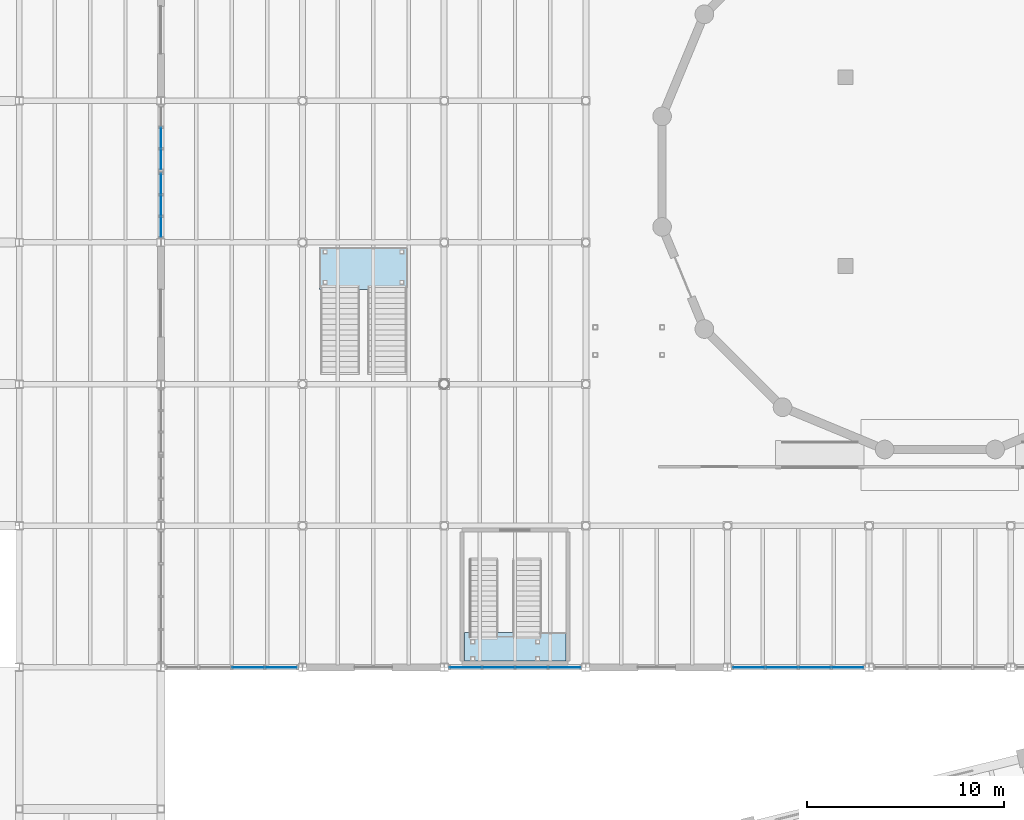
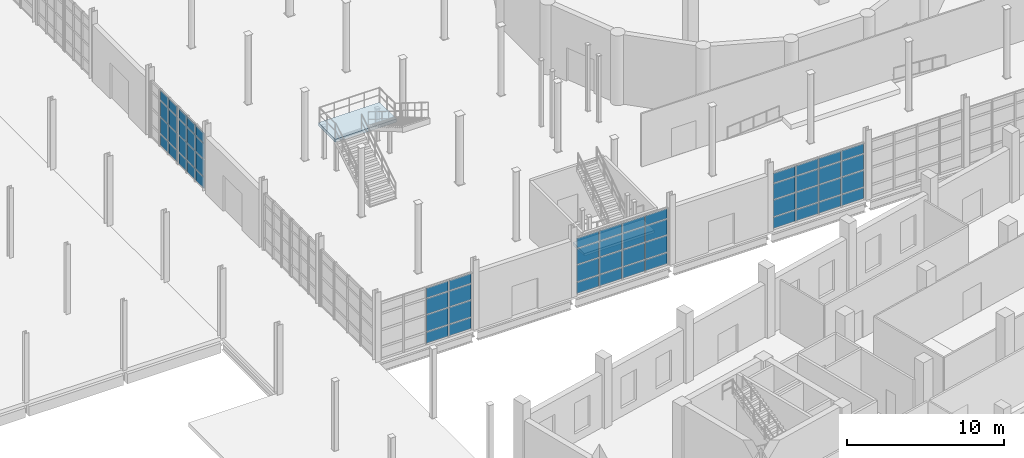
# One storey, part 50 of 79: 60 plates, 2 slabs, 7 elements without a shape of their own.
"""IFC4 building model written with IfcOpenShell, lengths in metres."""

from ifc_helpers import new_model, si_unit, direction, frame, frame_2d, origin, place, context, subcontext, project, spatial, polyline, rectangle, outline, extrude, material, layer, layer_set, type_object, element, aggregate, save


model = new_model("IFC4")

# Units and contexts
model_context = context("Model", 3, precision=1e-05, world=origin(), true_north=direction((0.0, 1.0)))
body_context = subcontext(model_context, "Body", "Model", "MODEL_VIEW")
ifc_project = project(units=[si_unit("LENGTHUNIT", "METRE"), si_unit("AREAUNIT", "SQUARE_METRE"), si_unit("VOLUMEUNIT", "CUBIC_METRE"), si_unit("PLANEANGLEUNIT", "RADIAN"), si_unit("MASSUNIT", "GRAM", prefix="KILO")], contexts=[model_context])

# Site, building, storey
site_placement = place(None, origin())
site = spatial("IfcSite", under=ifc_project, at=site_placement, CompositionType="ELEMENT")
building_placement = place(site_placement, origin())
building = spatial("IfcBuilding", under=site, at=building_placement, Name="Qiaolan Assembly House", CompositionType="ELEMENT")
storey_placement = place(building_placement, origin())
storey = spatial("IfcBuildingStorey", under=building, at=storey_placement, Name="L00", CompositionType="ELEMENT", Elevation=0.0)

# Curtain wall, plates
ifc_material_1 = material(Name="Anodised bronze aluminium", Category="aluminium")
curtain_wall_type = type_object("IfcCurtainWallType", Name="CW-HALL-MAIN-540", PredefinedType="NOTDEFINED", material=ifc_material_1)
curtain_wall_1_placement = place(storey_placement, origin())
curtain_wall_1 = element("IfcCurtainWall", 1, at=curtain_wall_1_placement, inside=storey, type_object=curtain_wall_type, Name="CW-01 Hall West facade L00-3A", PredefinedType="NOTDEFINED")
ifc_material_2 = material(Name="Low-E double insulating glass", Category="glass")
ifc_layer_1 = layer(ifc_material_2, 0.035888671875)
ifc_layer_set_1 = layer_set([ifc_layer_1], Name="Low-E double insulating glass")
plate_type = type_object("IfcPlateType", Name="CW-HALL-MAIN-540-PNL", PredefinedType="CURTAIN_PANEL", material=ifc_layer_set_1)
plate_1_placement = place(storey_placement, frame((28.800048828125, 57.887939453125, 0.06298828125), z_axis=(0.0, 0.0, 1.0), x_axis=(0.0, 1.0, 0.0)))
plate_1 = element("IfcPlate", 2, at=plate_1_placement, type_object=plate_type, Name="GL-01 glazing panel CW-HALL-W-L00-3A-1", PredefinedType="CURTAIN_PANEL", context=body_context, shape_type="SweptSolid", body=[
    extrude(rectangle(XDim=1.01416015625, YDim=0.035888671875, at=frame_2d((0.507080078125, 0.0))), origin(), (0.0, 0.0, 1.0), 0.85400390625),
])
plate_2_placement = place(storey_placement, frame((28.800048828125, 57.887939453125, 0.98291015625), z_axis=(0.0, 0.0, 1.0), x_axis=(0.0, 1.0, 0.0)))
plate_2 = element("IfcPlate", 3, at=plate_2_placement, type_object=plate_type, Name="GL-01 glazing panel CW-HALL-W-L00-3A-2", PredefinedType="CURTAIN_PANEL", context=body_context, shape_type="SweptSolid", body=[
    extrude(rectangle(XDim=1.01416015625, YDim=0.035888671875, at=frame_2d((0.507080078125, 0.0))), origin(), (0.0, 0.0, 1.0), 1.27197265625),
])
plate_3_placement = place(storey_placement, frame((28.800048828125, 57.887939453125, 2.321044921875), z_axis=(0.0, 0.0, 1.0), x_axis=(0.0, 1.0, 0.0)))
plate_3 = element("IfcPlate", 4, at=plate_3_placement, type_object=plate_type, Name="GL-01 glazing panel CW-HALL-W-L00-3A-3", PredefinedType="CURTAIN_PANEL", context=body_context, shape_type="SweptSolid", body=[
    extrude(rectangle(XDim=1.01416015625, YDim=0.035888671875, at=frame_2d((0.507080078125, 0.0))), origin(), (0.0, 0.0, 1.0), 1.196044921875),
])
plate_4_placement = place(storey_placement, frame((28.800048828125, 57.887939453125, 3.5830078125), z_axis=(0.0, 0.0, 1.0), x_axis=(0.0, 1.0, 0.0)))
plate_4 = element("IfcPlate", 5, at=plate_4_placement, type_object=plate_type, Name="GL-01 glazing panel CW-HALL-W-L00-3A-4", PredefinedType="CURTAIN_PANEL", context=body_context, shape_type="SweptSolid", body=[
    extrude(rectangle(XDim=1.01416015625, YDim=0.035888671875, at=frame_2d((0.507080078125, 0.0))), origin(), (0.0, 0.0, 1.0), 0.75390625),
])
plate_5_placement = place(storey_placement, frame((28.800048828125, 58.97802734375, 0.06298828125), z_axis=(0.0, 0.0, 1.0), x_axis=(0.0, 1.0, 0.0)))
plate_5 = element("IfcPlate", 6, at=plate_5_placement, type_object=plate_type, Name="GL-01 glazing panel CW-HALL-W-L00-3A-5", PredefinedType="CURTAIN_PANEL", context=body_context, shape_type="SweptSolid", body=[
    extrude(rectangle(XDim=1.013916015625, YDim=0.035888671875, at=frame_2d((0.5068359375, 0.0))), origin(), (0.0, 0.0, 1.0), 0.85400390625),
])
plate_6_placement = place(storey_placement, frame((28.800048828125, 58.97802734375, 0.98291015625), z_axis=(0.0, 0.0, 1.0), x_axis=(0.0, 1.0, 0.0)))
plate_6 = element("IfcPlate", 7, at=plate_6_placement, type_object=plate_type, Name="GL-01 glazing panel CW-HALL-W-L00-3A-6", PredefinedType="CURTAIN_PANEL", context=body_context, shape_type="SweptSolid", body=[
    extrude(rectangle(XDim=1.013916015625, YDim=0.035888671875, at=frame_2d((0.5068359375, 0.0))), origin(), (0.0, 0.0, 1.0), 1.27197265625),
])
plate_7_placement = place(storey_placement, frame((28.800048828125, 58.97802734375, 2.321044921875), z_axis=(0.0, 0.0, 1.0), x_axis=(0.0, 1.0, 0.0)))
plate_7 = element("IfcPlate", 8, at=plate_7_placement, type_object=plate_type, Name="GL-01 glazing panel CW-HALL-W-L00-3A-7", PredefinedType="CURTAIN_PANEL", context=body_context, shape_type="SweptSolid", body=[
    extrude(rectangle(XDim=1.013916015625, YDim=0.035888671875, at=frame_2d((0.5068359375, 0.0))), origin(), (0.0, 0.0, 1.0), 1.196044921875),
])
plate_8_placement = place(storey_placement, frame((28.800048828125, 58.97802734375, 3.5830078125), z_axis=(0.0, 0.0, 1.0), x_axis=(0.0, 1.0, 0.0)))
plate_8 = element("IfcPlate", 9, at=plate_8_placement, type_object=plate_type, Name="GL-01 glazing panel CW-HALL-W-L00-3A-8", PredefinedType="CURTAIN_PANEL", context=body_context, shape_type="SweptSolid", body=[
    extrude(rectangle(XDim=1.013916015625, YDim=0.035888671875, at=frame_2d((0.5068359375, 0.0))), origin(), (0.0, 0.0, 1.0), 0.75390625),
])
plate_9_placement = place(storey_placement, frame((28.800048828125, 60.068115234375, 0.06298828125), z_axis=(0.0, 0.0, 1.0), x_axis=(0.0, 1.0, 0.0)))
plate_9 = element("IfcPlate", 10, at=plate_9_placement, type_object=plate_type, Name="GL-01 glazing panel CW-HALL-W-L00-3A-9", PredefinedType="CURTAIN_PANEL", context=body_context, shape_type="SweptSolid", body=[
    extrude(rectangle(XDim=1.013916015625, YDim=0.035888671875, at=frame_2d((0.5068359375, 0.0))), origin(), (0.0, 0.0, 1.0), 0.85400390625),
])
plate_10_placement = place(storey_placement, frame((28.800048828125, 60.068115234375, 0.98291015625), z_axis=(0.0, 0.0, 1.0), x_axis=(0.0, 1.0, 0.0)))
plate_10 = element("IfcPlate", 11, at=plate_10_placement, type_object=plate_type, Name="GL-01 glazing panel CW-HALL-W-L00-3A-10", PredefinedType="CURTAIN_PANEL", context=body_context, shape_type="SweptSolid", body=[
    extrude(rectangle(XDim=1.013916015625, YDim=0.035888671875, at=frame_2d((0.5068359375, 0.0))), origin(), (0.0, 0.0, 1.0), 1.27197265625),
])
plate_11_placement = place(storey_placement, frame((28.800048828125, 60.068115234375, 2.321044921875), z_axis=(0.0, 0.0, 1.0), x_axis=(0.0, 1.0, 0.0)))
plate_11 = element("IfcPlate", 12, at=plate_11_placement, type_object=plate_type, Name="GL-01 glazing panel CW-HALL-W-L00-3A-11", PredefinedType="CURTAIN_PANEL", context=body_context, shape_type="SweptSolid", body=[
    extrude(rectangle(XDim=1.013916015625, YDim=0.035888671875, at=frame_2d((0.5068359375, 0.0))), origin(), (0.0, 0.0, 1.0), 1.196044921875),
])
plate_12_placement = place(storey_placement, frame((28.800048828125, 60.068115234375, 3.5830078125), z_axis=(0.0, 0.0, 1.0), x_axis=(0.0, 1.0, 0.0)))
plate_12 = element("IfcPlate", 13, at=plate_12_placement, type_object=plate_type, Name="GL-01 glazing panel CW-HALL-W-L00-3A-12", PredefinedType="CURTAIN_PANEL", context=body_context, shape_type="SweptSolid", body=[
    extrude(rectangle(XDim=1.013916015625, YDim=0.035888671875, at=frame_2d((0.5068359375, 0.0))), origin(), (0.0, 0.0, 1.0), 0.75390625),
])
aggregate(curtain_wall_1, [plate_1, plate_2, plate_3, plate_4, plate_5, plate_6, plate_7, plate_8, plate_9, plate_10, plate_11, plate_12])

curtain_wall_2_placement = place(storey_placement, origin())
curtain_wall_2 = element("IfcCurtainWall", 14, at=curtain_wall_2_placement, inside=storey, type_object=curtain_wall_type, Name="CW-01 Hall West facade L00-3B", PredefinedType="NOTDEFINED")
plate_13_placement = place(storey_placement, frame((28.800048828125, 61.318115234375, 0.06298828125), z_axis=(0.0, 0.0, 1.0), x_axis=(0.0, 1.0, 0.0)))
plate_13 = element("IfcPlate", 15, at=plate_13_placement, type_object=plate_type, Name="GL-01 glazing panel CW-HALL-W-L00-3B-1", PredefinedType="CURTAIN_PANEL", context=body_context, shape_type="SweptSolid", body=[
    extrude(rectangle(XDim=1.013916015625, YDim=0.035888671875, at=frame_2d((0.5068359375, 0.0))), origin(), (0.0, 0.0, 1.0), 0.85400390625),
])
plate_14_placement = place(storey_placement, frame((28.800048828125, 61.318115234375, 0.98291015625), z_axis=(0.0, 0.0, 1.0), x_axis=(0.0, 1.0, 0.0)))
plate_14 = element("IfcPlate", 16, at=plate_14_placement, type_object=plate_type, Name="GL-01 glazing panel CW-HALL-W-L00-3B-2", PredefinedType="CURTAIN_PANEL", context=body_context, shape_type="SweptSolid", body=[
    extrude(rectangle(XDim=1.013916015625, YDim=0.035888671875, at=frame_2d((0.5068359375, 0.0))), origin(), (0.0, 0.0, 1.0), 1.27197265625),
])
plate_15_placement = place(storey_placement, frame((28.800048828125, 61.318115234375, 2.321044921875), z_axis=(0.0, 0.0, 1.0), x_axis=(0.0, 1.0, 0.0)))
plate_15 = element("IfcPlate", 17, at=plate_15_placement, type_object=plate_type, Name="GL-01 glazing panel CW-HALL-W-L00-3B-3", PredefinedType="CURTAIN_PANEL", context=body_context, shape_type="SweptSolid", body=[
    extrude(rectangle(XDim=1.013916015625, YDim=0.035888671875, at=frame_2d((0.5068359375, 0.0))), origin(), (0.0, 0.0, 1.0), 1.196044921875),
])
plate_16_placement = place(storey_placement, frame((28.800048828125, 61.318115234375, 3.5830078125), z_axis=(0.0, 0.0, 1.0), x_axis=(0.0, 1.0, 0.0)))
plate_16 = element("IfcPlate", 18, at=plate_16_placement, type_object=plate_type, Name="GL-01 glazing panel CW-HALL-W-L00-3B-4", PredefinedType="CURTAIN_PANEL", context=body_context, shape_type="SweptSolid", body=[
    extrude(rectangle(XDim=1.013916015625, YDim=0.035888671875, at=frame_2d((0.5068359375, 0.0))), origin(), (0.0, 0.0, 1.0), 0.75390625),
])
plate_17_placement = place(storey_placement, frame((28.800048828125, 62.407958984375, 0.06298828125), z_axis=(0.0, 0.0, 1.0), x_axis=(0.0, 1.0, 0.0)))
plate_17 = element("IfcPlate", 19, at=plate_17_placement, type_object=plate_type, Name="GL-01 glazing panel CW-HALL-W-L00-3B-5", PredefinedType="CURTAIN_PANEL", context=body_context, shape_type="SweptSolid", body=[
    extrude(rectangle(XDim=1.01416015625, YDim=0.035888671875, at=frame_2d((0.507080078125, 0.0))), origin(), (0.0, 0.0, 1.0), 0.85400390625),
])
plate_18_placement = place(storey_placement, frame((28.800048828125, 62.407958984375, 0.98291015625), z_axis=(0.0, 0.0, 1.0), x_axis=(0.0, 1.0, 0.0)))
plate_18 = element("IfcPlate", 20, at=plate_18_placement, type_object=plate_type, Name="GL-01 glazing panel CW-HALL-W-L00-3B-6", PredefinedType="CURTAIN_PANEL", context=body_context, shape_type="SweptSolid", body=[
    extrude(rectangle(XDim=1.01416015625, YDim=0.035888671875, at=frame_2d((0.507080078125, 0.0))), origin(), (0.0, 0.0, 1.0), 1.27197265625),
])
plate_19_placement = place(storey_placement, frame((28.800048828125, 62.407958984375, 2.321044921875), z_axis=(0.0, 0.0, 1.0), x_axis=(0.0, 1.0, 0.0)))
plate_19 = element("IfcPlate", 21, at=plate_19_placement, type_object=plate_type, Name="GL-01 glazing panel CW-HALL-W-L00-3B-7", PredefinedType="CURTAIN_PANEL", context=body_context, shape_type="SweptSolid", body=[
    extrude(rectangle(XDim=1.01416015625, YDim=0.035888671875, at=frame_2d((0.507080078125, 0.0))), origin(), (0.0, 0.0, 1.0), 1.196044921875),
])
plate_20_placement = place(storey_placement, frame((28.800048828125, 62.407958984375, 3.5830078125), z_axis=(0.0, 0.0, 1.0), x_axis=(0.0, 1.0, 0.0)))
plate_20 = element("IfcPlate", 22, at=plate_20_placement, type_object=plate_type, Name="GL-01 glazing panel CW-HALL-W-L00-3B-8", PredefinedType="CURTAIN_PANEL", context=body_context, shape_type="SweptSolid", body=[
    extrude(rectangle(XDim=1.01416015625, YDim=0.035888671875, at=frame_2d((0.507080078125, 0.0))), origin(), (0.0, 0.0, 1.0), 0.75390625),
])
aggregate(curtain_wall_2, [plate_13, plate_14, plate_15, plate_16, plate_17, plate_18, plate_19, plate_20])

curtain_wall_3_placement = place(storey_placement, origin())
curtain_wall_3 = element("IfcCurtainWall", 23, at=curtain_wall_3_placement, inside=storey, type_object=curtain_wall_type, Name="CW-01 Hall South plaza curtain wall L00-1", PredefinedType="NOTDEFINED")
plate_21_placement = place(storey_placement, frame((32.43798828125, 36.0, 0.06298828125), z_axis=(0.0, 0.0, 1.0), x_axis=(1.0, 0.0, 0.0)))
plate_21 = element("IfcPlate", 24, at=plate_21_placement, type_object=plate_type, Name="GL-01 glazing panel CW-HALL-S-L00-00-9", PredefinedType="CURTAIN_PANEL", context=body_context, shape_type="SweptSolid", body=[
    extrude(rectangle(XDim=1.59912109375, YDim=0.035888671875, at=frame_2d((0.799560546875, 0.0))), origin(), (0.0, 0.0, 1.0), 0.85400390625),
])
plate_22_placement = place(storey_placement, frame((32.43798828125, 36.0, 0.98291015625), z_axis=(0.0, 0.0, 1.0), x_axis=(1.0, 0.0, 0.0)))
plate_22 = element("IfcPlate", 25, at=plate_22_placement, type_object=plate_type, Name="GL-01 glazing panel CW-HALL-S-L00-00-10", PredefinedType="CURTAIN_PANEL", context=body_context, shape_type="SweptSolid", body=[
    extrude(rectangle(XDim=1.59912109375, YDim=0.035888671875, at=frame_2d((0.799560546875, 0.0))), origin(), (0.0, 0.0, 1.0), 1.27197265625),
])
plate_23_placement = place(storey_placement, frame((32.43798828125, 36.0, 2.321044921875), z_axis=(0.0, 0.0, 1.0), x_axis=(1.0, 0.0, 0.0)))
plate_23 = element("IfcPlate", 26, at=plate_23_placement, type_object=plate_type, Name="GL-01 glazing panel CW-HALL-S-L00-00-11", PredefinedType="CURTAIN_PANEL", context=body_context, shape_type="SweptSolid", body=[
    extrude(rectangle(XDim=1.59912109375, YDim=0.035888671875, at=frame_2d((0.799560546875, 0.0))), origin(), (0.0, 0.0, 1.0), 1.196044921875),
])
plate_24_placement = place(storey_placement, frame((32.43798828125, 36.0, 3.5830078125), z_axis=(0.0, 0.0, 1.0), x_axis=(1.0, 0.0, 0.0)))
plate_24 = element("IfcPlate", 27, at=plate_24_placement, type_object=plate_type, Name="GL-01 glazing panel CW-HALL-S-L00-00-12", PredefinedType="CURTAIN_PANEL", context=body_context, shape_type="SweptSolid", body=[
    extrude(rectangle(XDim=1.59912109375, YDim=0.035888671875, at=frame_2d((0.799560546875, 0.0))), origin(), (0.0, 0.0, 1.0), 0.75390625),
])
plate_25_placement = place(storey_placement, frame((34.113037109375, 36.0, 0.06298828125), z_axis=(0.0, 0.0, 1.0), x_axis=(1.0, 0.0, 0.0)))
plate_25 = element("IfcPlate", 28, at=plate_25_placement, type_object=plate_type, Name="GL-01 glazing panel CW-HALL-S-L00-00-13", PredefinedType="CURTAIN_PANEL", context=body_context, shape_type="SweptSolid", body=[
    extrude(rectangle(XDim=1.598876953125, YDim=0.035888671875, at=frame_2d((0.79931640625, 0.0))), origin(), (0.0, 0.0, 1.0), 0.85400390625),
])
plate_26_placement = place(storey_placement, frame((34.113037109375, 36.0, 0.98291015625), z_axis=(0.0, 0.0, 1.0), x_axis=(1.0, 0.0, 0.0)))
plate_26 = element("IfcPlate", 29, at=plate_26_placement, type_object=plate_type, Name="GL-01 glazing panel CW-HALL-S-L00-00-14", PredefinedType="CURTAIN_PANEL", context=body_context, shape_type="SweptSolid", body=[
    extrude(rectangle(XDim=1.598876953125, YDim=0.035888671875, at=frame_2d((0.79931640625, 0.0))), origin(), (0.0, 0.0, 1.0), 1.27197265625),
])
plate_27_placement = place(storey_placement, frame((34.113037109375, 36.0, 2.321044921875), z_axis=(0.0, 0.0, 1.0), x_axis=(1.0, 0.0, 0.0)))
plate_27 = element("IfcPlate", 30, at=plate_27_placement, type_object=plate_type, Name="GL-01 glazing panel CW-HALL-S-L00-00-15", PredefinedType="CURTAIN_PANEL", context=body_context, shape_type="SweptSolid", body=[
    extrude(rectangle(XDim=1.598876953125, YDim=0.035888671875, at=frame_2d((0.79931640625, 0.0))), origin(), (0.0, 0.0, 1.0), 1.196044921875),
])
plate_28_placement = place(storey_placement, frame((34.113037109375, 36.0, 3.5830078125), z_axis=(0.0, 0.0, 1.0), x_axis=(1.0, 0.0, 0.0)))
plate_28 = element("IfcPlate", 31, at=plate_28_placement, type_object=plate_type, Name="GL-01 glazing panel CW-HALL-S-L00-00-16", PredefinedType="CURTAIN_PANEL", context=body_context, shape_type="SweptSolid", body=[
    extrude(rectangle(XDim=1.598876953125, YDim=0.035888671875, at=frame_2d((0.79931640625, 0.0))), origin(), (0.0, 0.0, 1.0), 0.75390625),
])
aggregate(curtain_wall_3, [plate_21, plate_22, plate_23, plate_24, plate_25, plate_26, plate_27, plate_28])

curtain_wall_4_placement = place(storey_placement, origin())
curtain_wall_4 = element("IfcCurtainWall", 32, at=curtain_wall_4_placement, inside=storey, type_object=curtain_wall_type, Name="CW-01 Hall South plaza curtain wall L00-3", PredefinedType="NOTDEFINED")
plate_29_placement = place(storey_placement, frame((43.488037109375, 36.0, 0.06298828125), z_axis=(0.0, 0.0, 1.0), x_axis=(1.0, 0.0, 0.0)))
plate_29 = element("IfcPlate", 33, at=plate_29_placement, type_object=plate_type, Name="GL-01 glazing panel CW-HALL-S-L00-02-1", PredefinedType="CURTAIN_PANEL", context=body_context, shape_type="SweptSolid", body=[
    extrude(rectangle(XDim=1.598876953125, YDim=0.035888671875, at=frame_2d((0.79931640625, 0.0))), origin(), (0.0, 0.0, 1.0), 0.85400390625),
])
plate_30_placement = place(storey_placement, frame((43.488037109375, 36.0, 0.98291015625), z_axis=(0.0, 0.0, 1.0), x_axis=(1.0, 0.0, 0.0)))
plate_30 = element("IfcPlate", 34, at=plate_30_placement, type_object=plate_type, Name="GL-01 glazing panel CW-HALL-S-L00-02-2", PredefinedType="CURTAIN_PANEL", context=body_context, shape_type="SweptSolid", body=[
    extrude(rectangle(XDim=1.598876953125, YDim=0.035888671875, at=frame_2d((0.79931640625, 0.0))), origin(), (0.0, 0.0, 1.0), 1.27197265625),
])
plate_31_placement = place(storey_placement, frame((43.488037109375, 36.0, 2.321044921875), z_axis=(0.0, 0.0, 1.0), x_axis=(1.0, 0.0, 0.0)))
plate_31 = element("IfcPlate", 35, at=plate_31_placement, type_object=plate_type, Name="GL-01 glazing panel CW-HALL-S-L00-02-3", PredefinedType="CURTAIN_PANEL", context=body_context, shape_type="SweptSolid", body=[
    extrude(rectangle(XDim=1.598876953125, YDim=0.035888671875, at=frame_2d((0.79931640625, 0.0))), origin(), (0.0, 0.0, 1.0), 1.196044921875),
])
plate_32_placement = place(storey_placement, frame((43.488037109375, 36.0, 3.5830078125), z_axis=(0.0, 0.0, 1.0), x_axis=(1.0, 0.0, 0.0)))
plate_32 = element("IfcPlate", 36, at=plate_32_placement, type_object=plate_type, Name="GL-01 glazing panel CW-HALL-S-L00-02-4", PredefinedType="CURTAIN_PANEL", context=body_context, shape_type="SweptSolid", body=[
    extrude(rectangle(XDim=1.598876953125, YDim=0.035888671875, at=frame_2d((0.79931640625, 0.0))), origin(), (0.0, 0.0, 1.0), 0.75390625),
])
plate_33_placement = place(storey_placement, frame((45.1630859375, 36.0, 0.06298828125), z_axis=(0.0, 0.0, 1.0), x_axis=(1.0, 0.0, 0.0)))
plate_33 = element("IfcPlate", 37, at=plate_33_placement, type_object=plate_type, Name="GL-01 glazing panel CW-HALL-S-L00-02-5", PredefinedType="CURTAIN_PANEL", context=body_context, shape_type="SweptSolid", body=[
    extrude(rectangle(XDim=1.598876953125, YDim=0.035888671875, at=frame_2d((0.79931640625, 0.0))), origin(), (0.0, 0.0, 1.0), 0.85400390625),
])
plate_34_placement = place(storey_placement, frame((45.1630859375, 36.0, 0.98291015625), z_axis=(0.0, 0.0, 1.0), x_axis=(1.0, 0.0, 0.0)))
plate_34 = element("IfcPlate", 38, at=plate_34_placement, type_object=plate_type, Name="GL-01 glazing panel CW-HALL-S-L00-02-6", PredefinedType="CURTAIN_PANEL", context=body_context, shape_type="SweptSolid", body=[
    extrude(rectangle(XDim=1.598876953125, YDim=0.035888671875, at=frame_2d((0.79931640625, 0.0))), origin(), (0.0, 0.0, 1.0), 1.27197265625),
])
plate_35_placement = place(storey_placement, frame((45.1630859375, 36.0, 2.321044921875), z_axis=(0.0, 0.0, 1.0), x_axis=(1.0, 0.0, 0.0)))
plate_35 = element("IfcPlate", 39, at=plate_35_placement, type_object=plate_type, Name="GL-01 glazing panel CW-HALL-S-L00-02-7", PredefinedType="CURTAIN_PANEL", context=body_context, shape_type="SweptSolid", body=[
    extrude(rectangle(XDim=1.598876953125, YDim=0.035888671875, at=frame_2d((0.79931640625, 0.0))), origin(), (0.0, 0.0, 1.0), 1.196044921875),
])
plate_36_placement = place(storey_placement, frame((45.1630859375, 36.0, 3.5830078125), z_axis=(0.0, 0.0, 1.0), x_axis=(1.0, 0.0, 0.0)))
plate_36 = element("IfcPlate", 40, at=plate_36_placement, type_object=plate_type, Name="GL-01 glazing panel CW-HALL-S-L00-02-8", PredefinedType="CURTAIN_PANEL", context=body_context, shape_type="SweptSolid", body=[
    extrude(rectangle(XDim=1.598876953125, YDim=0.035888671875, at=frame_2d((0.79931640625, 0.0))), origin(), (0.0, 0.0, 1.0), 0.75390625),
])
plate_37_placement = place(storey_placement, frame((46.837890625, 36.0, 0.06298828125), z_axis=(0.0, 0.0, 1.0), x_axis=(1.0, 0.0, 0.0)))
plate_37 = element("IfcPlate", 41, at=plate_37_placement, type_object=plate_type, Name="GL-01 glazing panel CW-HALL-S-L00-02-9", PredefinedType="CURTAIN_PANEL", context=body_context, shape_type="SweptSolid", body=[
    extrude(rectangle(XDim=1.59912109375, YDim=0.035888671875, at=frame_2d((0.799560546875, 0.0))), origin(), (0.0, 0.0, 1.0), 0.85400390625),
])
plate_38_placement = place(storey_placement, frame((46.837890625, 36.0, 0.98291015625), z_axis=(0.0, 0.0, 1.0), x_axis=(1.0, 0.0, 0.0)))
plate_38 = element("IfcPlate", 42, at=plate_38_placement, type_object=plate_type, Name="GL-01 glazing panel CW-HALL-S-L00-02-10", PredefinedType="CURTAIN_PANEL", context=body_context, shape_type="SweptSolid", body=[
    extrude(rectangle(XDim=1.59912109375, YDim=0.035888671875, at=frame_2d((0.799560546875, 0.0))), origin(), (0.0, 0.0, 1.0), 1.27197265625),
])
plate_39_placement = place(storey_placement, frame((46.837890625, 36.0, 2.321044921875), z_axis=(0.0, 0.0, 1.0), x_axis=(1.0, 0.0, 0.0)))
plate_39 = element("IfcPlate", 43, at=plate_39_placement, type_object=plate_type, Name="GL-01 glazing panel CW-HALL-S-L00-02-11", PredefinedType="CURTAIN_PANEL", context=body_context, shape_type="SweptSolid", body=[
    extrude(rectangle(XDim=1.59912109375, YDim=0.035888671875, at=frame_2d((0.799560546875, 0.0))), origin(), (0.0, 0.0, 1.0), 1.196044921875),
])
plate_40_placement = place(storey_placement, frame((46.837890625, 36.0, 3.5830078125), z_axis=(0.0, 0.0, 1.0), x_axis=(1.0, 0.0, 0.0)))
plate_40 = element("IfcPlate", 44, at=plate_40_placement, type_object=plate_type, Name="GL-01 glazing panel CW-HALL-S-L00-02-12", PredefinedType="CURTAIN_PANEL", context=body_context, shape_type="SweptSolid", body=[
    extrude(rectangle(XDim=1.59912109375, YDim=0.035888671875, at=frame_2d((0.799560546875, 0.0))), origin(), (0.0, 0.0, 1.0), 0.75390625),
])
plate_41_placement = place(storey_placement, frame((48.512939453125, 36.0, 0.06298828125), z_axis=(0.0, 0.0, 1.0), x_axis=(1.0, 0.0, 0.0)))
plate_41 = element("IfcPlate", 45, at=plate_41_placement, type_object=plate_type, Name="GL-01 glazing panel CW-HALL-S-L00-02-13", PredefinedType="CURTAIN_PANEL", context=body_context, shape_type="SweptSolid", body=[
    extrude(rectangle(XDim=1.59912109375, YDim=0.035888671875, at=frame_2d((0.799560546875, 0.0))), origin(), (0.0, 0.0, 1.0), 0.85400390625),
])
plate_42_placement = place(storey_placement, frame((48.512939453125, 36.0, 0.98291015625), z_axis=(0.0, 0.0, 1.0), x_axis=(1.0, 0.0, 0.0)))
plate_42 = element("IfcPlate", 46, at=plate_42_placement, type_object=plate_type, Name="GL-01 glazing panel CW-HALL-S-L00-02-14", PredefinedType="CURTAIN_PANEL", context=body_context, shape_type="SweptSolid", body=[
    extrude(rectangle(XDim=1.59912109375, YDim=0.035888671875, at=frame_2d((0.799560546875, 0.0))), origin(), (0.0, 0.0, 1.0), 1.27197265625),
])
plate_43_placement = place(storey_placement, frame((48.512939453125, 36.0, 2.321044921875), z_axis=(0.0, 0.0, 1.0), x_axis=(1.0, 0.0, 0.0)))
plate_43 = element("IfcPlate", 47, at=plate_43_placement, type_object=plate_type, Name="GL-01 glazing panel CW-HALL-S-L00-02-15", PredefinedType="CURTAIN_PANEL", context=body_context, shape_type="SweptSolid", body=[
    extrude(rectangle(XDim=1.59912109375, YDim=0.035888671875, at=frame_2d((0.799560546875, 0.0))), origin(), (0.0, 0.0, 1.0), 1.196044921875),
])
plate_44_placement = place(storey_placement, frame((48.512939453125, 36.0, 3.5830078125), z_axis=(0.0, 0.0, 1.0), x_axis=(1.0, 0.0, 0.0)))
plate_44 = element("IfcPlate", 48, at=plate_44_placement, type_object=plate_type, Name="GL-01 glazing panel CW-HALL-S-L00-02-16", PredefinedType="CURTAIN_PANEL", context=body_context, shape_type="SweptSolid", body=[
    extrude(rectangle(XDim=1.59912109375, YDim=0.035888671875, at=frame_2d((0.799560546875, 0.0))), origin(), (0.0, 0.0, 1.0), 0.75390625),
])
aggregate(curtain_wall_4, [plate_29, plate_30, plate_31, plate_32, plate_33, plate_34, plate_35, plate_36, plate_37, plate_38, plate_39, plate_40, plate_41, plate_42, plate_43, plate_44])

curtain_wall_5_placement = place(storey_placement, origin())
curtain_wall_5 = element("IfcCurtainWall", 49, at=curtain_wall_5_placement, inside=storey, type_object=curtain_wall_type, Name="CW-01 Hall South plaza curtain wall L00-5", PredefinedType="NOTDEFINED")
plate_45_placement = place(storey_placement, frame((57.887939453125, 36.0, 0.06298828125), z_axis=(0.0, 0.0, 1.0), x_axis=(1.0, 0.0, 0.0)))
plate_45 = element("IfcPlate", 50, at=plate_45_placement, type_object=plate_type, Name="GL-01 glazing panel CW-HALL-S-L00-04-1", PredefinedType="CURTAIN_PANEL", context=body_context, shape_type="SweptSolid", body=[
    extrude(rectangle(XDim=1.59912109375, YDim=0.035888671875, at=frame_2d((0.799560546875, 0.0))), origin(), (0.0, 0.0, 1.0), 0.85400390625),
])
plate_46_placement = place(storey_placement, frame((57.887939453125, 36.0, 0.98291015625), z_axis=(0.0, 0.0, 1.0), x_axis=(1.0, 0.0, 0.0)))
plate_46 = element("IfcPlate", 51, at=plate_46_placement, type_object=plate_type, Name="GL-01 glazing panel CW-HALL-S-L00-04-2", PredefinedType="CURTAIN_PANEL", context=body_context, shape_type="SweptSolid", body=[
    extrude(rectangle(XDim=1.59912109375, YDim=0.035888671875, at=frame_2d((0.799560546875, 0.0))), origin(), (0.0, 0.0, 1.0), 1.27197265625),
])
plate_47_placement = place(storey_placement, frame((57.887939453125, 36.0, 2.321044921875), z_axis=(0.0, 0.0, 1.0), x_axis=(1.0, 0.0, 0.0)))
plate_47 = element("IfcPlate", 52, at=plate_47_placement, type_object=plate_type, Name="GL-01 glazing panel CW-HALL-S-L00-04-3", PredefinedType="CURTAIN_PANEL", context=body_context, shape_type="SweptSolid", body=[
    extrude(rectangle(XDim=1.59912109375, YDim=0.035888671875, at=frame_2d((0.799560546875, 0.0))), origin(), (0.0, 0.0, 1.0), 1.196044921875),
])
plate_48_placement = place(storey_placement, frame((57.887939453125, 36.0, 3.5830078125), z_axis=(0.0, 0.0, 1.0), x_axis=(1.0, 0.0, 0.0)))
plate_48 = element("IfcPlate", 53, at=plate_48_placement, type_object=plate_type, Name="GL-01 glazing panel CW-HALL-S-L00-04-4", PredefinedType="CURTAIN_PANEL", context=body_context, shape_type="SweptSolid", body=[
    extrude(rectangle(XDim=1.59912109375, YDim=0.035888671875, at=frame_2d((0.799560546875, 0.0))), origin(), (0.0, 0.0, 1.0), 0.75390625),
])
plate_49_placement = place(storey_placement, frame((59.56298828125, 36.0, 0.06298828125), z_axis=(0.0, 0.0, 1.0), x_axis=(1.0, 0.0, 0.0)))
plate_49 = element("IfcPlate", 54, at=plate_49_placement, type_object=plate_type, Name="GL-01 glazing panel CW-HALL-S-L00-04-5", PredefinedType="CURTAIN_PANEL", context=body_context, shape_type="SweptSolid", body=[
    extrude(rectangle(XDim=1.59912109375, YDim=0.035888671875, at=frame_2d((0.799560546875, 0.0))), origin(), (0.0, 0.0, 1.0), 0.85400390625),
])
plate_50_placement = place(storey_placement, frame((59.56298828125, 36.0, 0.98291015625), z_axis=(0.0, 0.0, 1.0), x_axis=(1.0, 0.0, 0.0)))
plate_50 = element("IfcPlate", 55, at=plate_50_placement, type_object=plate_type, Name="GL-01 glazing panel CW-HALL-S-L00-04-6", PredefinedType="CURTAIN_PANEL", context=body_context, shape_type="SweptSolid", body=[
    extrude(rectangle(XDim=1.59912109375, YDim=0.035888671875, at=frame_2d((0.799560546875, 0.0))), origin(), (0.0, 0.0, 1.0), 1.27197265625),
])
plate_51_placement = place(storey_placement, frame((59.56298828125, 36.0, 2.321044921875), z_axis=(0.0, 0.0, 1.0), x_axis=(1.0, 0.0, 0.0)))
plate_51 = element("IfcPlate", 56, at=plate_51_placement, type_object=plate_type, Name="GL-01 glazing panel CW-HALL-S-L00-04-7", PredefinedType="CURTAIN_PANEL", context=body_context, shape_type="SweptSolid", body=[
    extrude(rectangle(XDim=1.59912109375, YDim=0.035888671875, at=frame_2d((0.799560546875, 0.0))), origin(), (0.0, 0.0, 1.0), 1.196044921875),
])
plate_52_placement = place(storey_placement, frame((59.56298828125, 36.0, 3.5830078125), z_axis=(0.0, 0.0, 1.0), x_axis=(1.0, 0.0, 0.0)))
plate_52 = element("IfcPlate", 57, at=plate_52_placement, type_object=plate_type, Name="GL-01 glazing panel CW-HALL-S-L00-04-8", PredefinedType="CURTAIN_PANEL", context=body_context, shape_type="SweptSolid", body=[
    extrude(rectangle(XDim=1.59912109375, YDim=0.035888671875, at=frame_2d((0.799560546875, 0.0))), origin(), (0.0, 0.0, 1.0), 0.75390625),
])
plate_53_placement = place(storey_placement, frame((61.238037109375, 36.0, 0.06298828125), z_axis=(0.0, 0.0, 1.0), x_axis=(1.0, 0.0, 0.0)))
plate_53 = element("IfcPlate", 58, at=plate_53_placement, type_object=plate_type, Name="GL-01 glazing panel CW-HALL-S-L00-04-9", PredefinedType="CURTAIN_PANEL", context=body_context, shape_type="SweptSolid", body=[
    extrude(rectangle(XDim=1.598876953125, YDim=0.035888671875, at=frame_2d((0.79931640625, 0.0))), origin(), (0.0, 0.0, 1.0), 0.85400390625),
])
plate_54_placement = place(storey_placement, frame((61.238037109375, 36.0, 0.98291015625), z_axis=(0.0, 0.0, 1.0), x_axis=(1.0, 0.0, 0.0)))
plate_54 = element("IfcPlate", 59, at=plate_54_placement, type_object=plate_type, Name="GL-01 glazing panel CW-HALL-S-L00-04-10", PredefinedType="CURTAIN_PANEL", context=body_context, shape_type="SweptSolid", body=[
    extrude(rectangle(XDim=1.598876953125, YDim=0.035888671875, at=frame_2d((0.79931640625, 0.0))), origin(), (0.0, 0.0, 1.0), 1.27197265625),
])
plate_55_placement = place(storey_placement, frame((61.238037109375, 36.0, 2.321044921875), z_axis=(0.0, 0.0, 1.0), x_axis=(1.0, 0.0, 0.0)))
plate_55 = element("IfcPlate", 60, at=plate_55_placement, type_object=plate_type, Name="GL-01 glazing panel CW-HALL-S-L00-04-11", PredefinedType="CURTAIN_PANEL", context=body_context, shape_type="SweptSolid", body=[
    extrude(rectangle(XDim=1.598876953125, YDim=0.035888671875, at=frame_2d((0.79931640625, 0.0))), origin(), (0.0, 0.0, 1.0), 1.196044921875),
])
plate_56_placement = place(storey_placement, frame((61.238037109375, 36.0, 3.5830078125), z_axis=(0.0, 0.0, 1.0), x_axis=(1.0, 0.0, 0.0)))
plate_56 = element("IfcPlate", 61, at=plate_56_placement, type_object=plate_type, Name="GL-01 glazing panel CW-HALL-S-L00-04-12", PredefinedType="CURTAIN_PANEL", context=body_context, shape_type="SweptSolid", body=[
    extrude(rectangle(XDim=1.598876953125, YDim=0.035888671875, at=frame_2d((0.79931640625, 0.0))), origin(), (0.0, 0.0, 1.0), 0.75390625),
])
plate_57_placement = place(storey_placement, frame((62.9130859375, 36.0, 0.06298828125), z_axis=(0.0, 0.0, 1.0), x_axis=(1.0, 0.0, 0.0)))
plate_57 = element("IfcPlate", 62, at=plate_57_placement, type_object=plate_type, Name="GL-01 glazing panel CW-HALL-S-L00-04-13", PredefinedType="CURTAIN_PANEL", context=body_context, shape_type="SweptSolid", body=[
    extrude(rectangle(XDim=1.598876953125, YDim=0.035888671875, at=frame_2d((0.79931640625, 0.0))), origin(), (0.0, 0.0, 1.0), 0.85400390625),
])
plate_58_placement = place(storey_placement, frame((62.9130859375, 36.0, 0.98291015625), z_axis=(0.0, 0.0, 1.0), x_axis=(1.0, 0.0, 0.0)))
plate_58 = element("IfcPlate", 63, at=plate_58_placement, type_object=plate_type, Name="GL-01 glazing panel CW-HALL-S-L00-04-14", PredefinedType="CURTAIN_PANEL", context=body_context, shape_type="SweptSolid", body=[
    extrude(rectangle(XDim=1.598876953125, YDim=0.035888671875, at=frame_2d((0.79931640625, 0.0))), origin(), (0.0, 0.0, 1.0), 1.27197265625),
])
plate_59_placement = place(storey_placement, frame((62.9130859375, 36.0, 2.321044921875), z_axis=(0.0, 0.0, 1.0), x_axis=(1.0, 0.0, 0.0)))
plate_59 = element("IfcPlate", 64, at=plate_59_placement, type_object=plate_type, Name="GL-01 glazing panel CW-HALL-S-L00-04-15", PredefinedType="CURTAIN_PANEL", context=body_context, shape_type="SweptSolid", body=[
    extrude(rectangle(XDim=1.598876953125, YDim=0.035888671875, at=frame_2d((0.79931640625, 0.0))), origin(), (0.0, 0.0, 1.0), 1.196044921875),
])
plate_60_placement = place(storey_placement, frame((62.9130859375, 36.0, 3.5830078125), z_axis=(0.0, 0.0, 1.0), x_axis=(1.0, 0.0, 0.0)))
plate_60 = element("IfcPlate", 65, at=plate_60_placement, type_object=plate_type, Name="GL-01 glazing panel CW-HALL-S-L00-04-16", PredefinedType="CURTAIN_PANEL", context=body_context, shape_type="SweptSolid", body=[
    extrude(rectangle(XDim=1.598876953125, YDim=0.035888671875, at=frame_2d((0.79931640625, 0.0))), origin(), (0.0, 0.0, 1.0), 0.75390625),
])
aggregate(curtain_wall_5, [plate_45, plate_46, plate_47, plate_48, plate_49, plate_50, plate_51, plate_52, plate_53, plate_54, plate_55, plate_56, plate_57, plate_58, plate_59, plate_60])

# Stair, slab
ifc_material_3 = material(Name="Concrete C40/50", Category="concrete")
stair_type_1 = type_object("IfcStairType", Name="STR-FOYER-540", PredefinedType="HALF_TURN_STAIR", material=ifc_material_3)
stair_1_placement = place(storey_placement, origin())
stair_1 = element("IfcStair", 66, at=stair_1_placement, inside=storey, type_object=stair_type_1, Name="ST-09 Chamber South Foyer Stair ST-F01", PredefinedType="HALF_TURN_STAIR")
ifc_layer_2 = layer(ifc_material_3, 0.199951171875)
ifc_layer_set_2 = layer_set([ifc_layer_2], Name="Concrete C40/50")
slab_type_1 = type_object("IfcSlabType", Name="SLB-LANDING-200", PredefinedType="LANDING", material=ifc_layer_set_2)
slab_1_placement = place(storey_placement, frame((0.0, 0.0, 2.5)))
slab_1 = element("IfcSlab", 67, at=slab_1_placement, type_object=slab_type_1, Name="Stair landing LND-ST-F01-1", PredefinedType="LANDING", context=body_context, shape_type="SweptSolid", body=[
    extrude(outline(polyline([(44.219970703125, 36.320068359375), (44.219970703125, 37.77001953125), (49.3798828125, 37.77001953125), (49.3798828125, 36.320068359375), (44.219970703125, 36.320068359375)])), origin(), (0.0, 0.0, 1.0), 0.199951171875),
])
aggregate(stair_1, [slab_1])

stair_type_2 = type_object("IfcStairType", Name="STR-CEREMONIAL-540", PredefinedType="DOUBLE_RETURN_STAIR", material=ifc_material_3)
stair_2_placement = place(storey_placement, origin())
stair_2 = element("IfcStair", 68, at=stair_2_placement, inside=storey, type_object=stair_type_2, Name="ST-02 Grand Hall Ceremonial Stair ST-H1", PredefinedType="DOUBLE_RETURN_STAIR")
ifc_layer_3 = layer(ifc_material_3, 0.239990234375)
ifc_layer_set_3 = layer_set([ifc_layer_3], Name="Concrete C40/50")
slab_type_2 = type_object("IfcSlabType", Name="SLB-LANDING-240", PredefinedType="LANDING", material=ifc_layer_set_3)
slab_2_placement = place(storey_placement, frame((0.0, 0.0, 2.4599609375)))
slab_2 = element("IfcSlab", 69, at=slab_2_placement, type_object=slab_type_2, Name="Stair landing LND-ST-H1-1", PredefinedType="LANDING", context=body_context, shape_type="SweptSolid", body=[
    extrude(outline(polyline([(36.85009765625, 55.199951171875), (36.85009765625, 57.340087890625), (41.35009765625, 57.340087890625), (41.35009765625, 55.199951171875), (36.85009765625, 55.199951171875)])), origin(), (0.0, 0.0, 1.0), 0.239990234375),
])
aggregate(stair_2, [slab_2])

save(model, "model.ifc")
